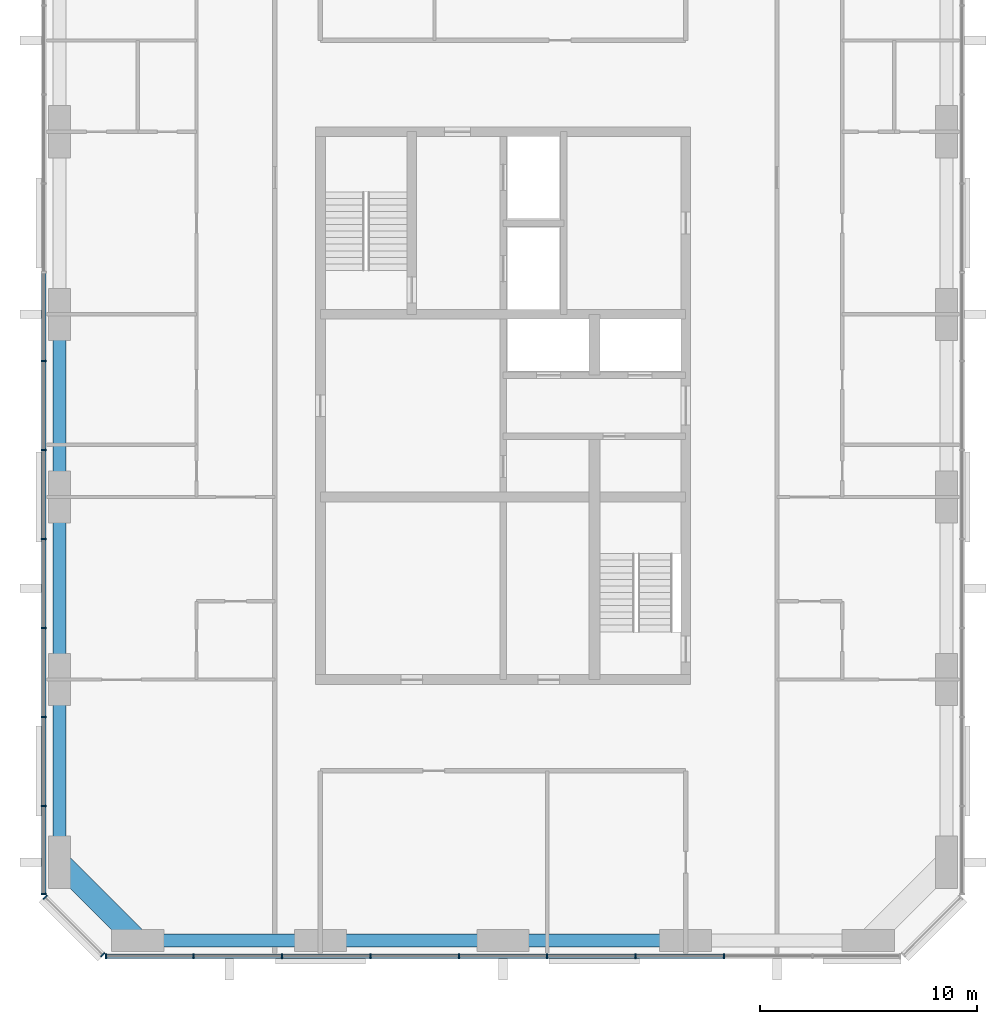
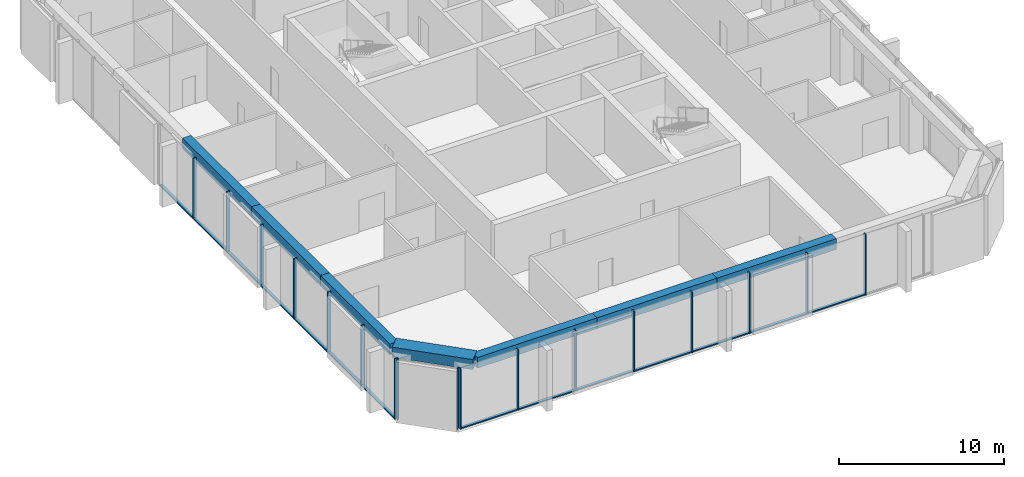
# One storey, part 2 of 10: 31 members, 7 beams, 3 elements without a shape of their own.
"""IFC4 building model written with IfcOpenShell, lengths in metres."""

import ifcopenshell
import ifcopenshell.guid

model = None  # the IFC model being written
_history = None  # IfcOwnerHistory: only IFC2X3 demands one
_inside = {}  # id of a spatial element -> (the spatial element, [elements in it])
_under = {}  # id of a project, library or spatial element -> (it, [spatial elements below it])
_declared = {}  # id of a project -> (the project, [libraries it declares])
_typed = {}  # id of a type object -> (the type object, [elements of that type])
_made_of = {}  # id of a material, layer set ... -> (it, [elements and type objects made of it])


def new_model(schema):
    """Start an empty IFC model of exactly this schema.

    Asked for "IFC4X3", IfcOpenShell would pick the latest addendum, in which some entities
    have other attributes; the version numbers below select the first issue.
    IFC2X3 requires an IfcOwnerHistory on every rooted entity: one is made here for all.
    """
    global model, _history
    if schema == "IFC4X3":
        model = ifcopenshell.file(schema_version=(4, 3, 0, 0))
    else:
        model = ifcopenshell.file(schema=schema)
    _inside.clear()
    _under.clear()
    _declared.clear()
    _typed.clear()
    _made_of.clear()
    _history = None
    if model.schema == "IFC2X3":
        org = make("IfcOrganization", Name="unknown")
        user = make(
            "IfcPersonAndOrganization",
            ThePerson=make("IfcPerson", FamilyName="unknown"),
            TheOrganization=org,
        )
        app = make(
            "IfcApplication",
            ApplicationDeveloper=org,
            Version="unknown",
            ApplicationFullName="unknown",
            ApplicationIdentifier="unknown",
        )
        _history = make(
            "IfcOwnerHistory",
            OwningUser=user,
            OwningApplication=app,
            ChangeAction="ADDED",
            CreationDate=0,
        )
    return model


def make(cls, **values):
    """One entity of the class cls with the attributes given. An attribute that is None is left unset."""
    return model.create_entity(
        cls, **{name: value for name, value in values.items() if value is not None}
    )


def rooted(cls, **values):
    """An entity with a GlobalId (a new one), such as an element, a storey or a relation."""
    return make(cls, GlobalId=ifcopenshell.guid.new(), OwnerHistory=_history, **values)


def si_unit(unit_type, name, prefix=None):
    """IfcSIUnit, for example si_unit("LENGTHUNIT", "METRE", prefix="MILLI")."""
    return make("IfcSIUnit", UnitType=unit_type, Prefix=prefix, Name=name)


def assignment(units):
    """IfcUnitAssignment: the units of a project."""
    return None if units is None else make("IfcUnitAssignment", Units=units)


def point(xyz):
    """IfcCartesianPoint."""
    return None if xyz is None else make("IfcCartesianPoint", Coordinates=xyz)


def direction(xyz):
    """IfcDirection."""
    return None if xyz is None else make("IfcDirection", DirectionRatios=xyz)


def frame(location, z_axis=None, x_axis=None):
    """IfcAxis2Placement3D, a coordinate frame: its origin and axes. An axis left out is left unset."""
    return make(
        "IfcAxis2Placement3D",
        Location=point(location),
        Axis=direction(z_axis),
        RefDirection=direction(x_axis),
    )


def frame_2d(location, x_axis=None):
    """IfcAxis2Placement2D, a coordinate frame in the plane: its origin and x axis."""
    return make(
        "IfcAxis2Placement2D", Location=point(location), RefDirection=direction(x_axis)
    )


def origin():
    """The frame at (0, 0, 0) with its axes left unset."""
    return frame((0.0, 0.0, 0.0))


def origin_2d():
    """The frame at (0, 0) in the plane with its x axis left unset."""
    return frame_2d((0.0, 0.0))


def place(relative_to, where):
    """IfcLocalPlacement: puts the frame where relative to a parent placement (None: the world)."""
    return make(
        "IfcLocalPlacement", PlacementRelTo=relative_to, RelativePlacement=where
    )


def context(
    kind, dimensions, precision=None, world=None, true_north=None, identifier=None
):
    """IfcGeometricRepresentationContext, for example the 3D "Model" context."""
    return make(
        "IfcGeometricRepresentationContext",
        ContextIdentifier=identifier,
        ContextType=kind,
        CoordinateSpaceDimension=dimensions,
        Precision=precision,
        WorldCoordinateSystem=world,
        TrueNorth=true_north,
    )


def subcontext(parent, identifier, kind, view, scale=None):
    """IfcGeometricRepresentationSubContext, for example "Body" below "Model"."""
    return make(
        "IfcGeometricRepresentationSubContext",
        ContextIdentifier=identifier,
        ContextType=kind,
        ParentContext=parent,
        TargetScale=scale,
        TargetView=view,
    )


def project(units=None, contexts=None):
    """IfcProject with its units and contexts."""
    return rooted(
        "IfcProject",
        Name="project",
        RepresentationContexts=contexts,
        UnitsInContext=assignment(units),
    )


def spatial(cls, under=None, at=None, **own):
    """A site, building, storey or space (cls), placed at a placement, below another one or the project."""
    s = rooted(cls, ObjectPlacement=at, **own)
    if under is not None:
        _under.setdefault(under.id(), (under, []))[1].append(s)
    return s


def profile(cls, at=None, kind="AREA", **sizes):
    """A parametric profile (cls). Its sizes go by their IFC names, for example OverallWidth=200.0."""
    return make(cls, ProfileType=kind, Position=at, **sizes)


def rectangle(**sizes):
    """IfcRectangleProfileDef."""
    return profile("IfcRectangleProfileDef", **sizes)


def extrude(swept, where, along, depth):
    """IfcExtrudedAreaSolid: the profile swept, set in the frame where, extruded along a direction by depth."""
    return make(
        "IfcExtrudedAreaSolid",
        SweptArea=swept,
        Position=where,
        ExtrudedDirection=direction(along),
        Depth=depth,
    )


def shape(context_of_items, identifier, shape_type, items):
    """IfcShapeRepresentation: the items that make up one representation, for example the "Body"."""
    return make(
        "IfcShapeRepresentation",
        ContextOfItems=context_of_items,
        RepresentationIdentifier=identifier,
        RepresentationType=shape_type,
        Items=items,
    )


def material(Name=None, Category=None):
    """IfcMaterial."""
    return make("IfcMaterial", Name=Name, Category=Category)


def material_profile(
    of_material, cross_section, Name=None, Category=None, Priority=None
):
    """IfcMaterialProfile: a cross section and its material."""
    return make(
        "IfcMaterialProfile",
        Name=Name,
        Material=of_material,
        Profile=cross_section,
        Priority=Priority,
        Category=Category,
    )


def profile_set(profiles, Name=None, composite=None):
    """IfcMaterialProfileSet."""
    return make(
        "IfcMaterialProfileSet",
        Name=Name,
        MaterialProfiles=profiles,
        CompositeProfile=composite,
    )


def made_of(thing, what):
    """Note that an element or type object is made of a material, layer set ...; save() writes the relation."""
    if what is not None:
        _made_of.setdefault(what.id(), (what, []))[1].append(thing)
    return thing


def type_object(cls, material=None, **own):
    """A type object (cls), such as IfcWallType, which elements share."""
    return made_of(rooted(cls, **own), material)


def element(
    cls,
    number,
    at=None,
    inside=None,
    cuts=None,
    type_object=None,
    material=None,
    context=None,
    identifier="Body",
    shape_type=None,
    held_by="IfcProductDefinitionShape",
    body=None,
    shapes=None,
    **own,
):
    """One element of the class cls, such as IfcWall. Its Tag is "e" and its number.

    at: its placement. inside: the storey or other place that contains it. cuts: it is an
    opening in that element (IfcRelVoidsElement). A single representation is given by context,
    identifier, shape_type and body (its items); several are given by shapes. held_by: the class
    of the entity that holds the representations. save() writes the other relations.
    """
    e = rooted(cls, Tag="e%d" % number, ObjectPlacement=at, **own)
    if body is not None:
        shapes = [shape(context, identifier, shape_type, body)]
    if shapes is not None:
        e.Representation = make(held_by, Representations=shapes)
    if inside is not None:
        _inside.setdefault(inside.id(), (inside, []))[1].append(e)
    if cuts is not None:
        rooted(
            "IfcRelVoidsElement", RelatingBuildingElement=cuts, RelatedOpeningElement=e
        )
    if type_object is not None:
        _typed.setdefault(type_object.id(), (type_object, []))[1].append(e)
    return made_of(e, material)


def aggregate(whole, parts):
    """IfcRelAggregates: a whole, such as a stair, and the parts it consists of."""
    return rooted("IfcRelAggregates", RelatingObject=whole, RelatedObjects=parts)


def save(model, path):
    """Write the relations noted so far, then the file.

    IfcRelAggregates (storeys below a building ...), IfcRelContainedInSpatialStructure (elements
    in a storey), IfcRelDefinesByType, IfcRelAssociatesMaterial and IfcRelDeclares: one each for
    every whole, place, type object, material and project.
    """
    for whole, parts in _under.values():
        aggregate(whole, parts)
    for where, things in _inside.values():
        rooted(
            "IfcRelContainedInSpatialStructure",
            RelatedElements=things,
            RelatingStructure=where,
        )
    for kind, things in _typed.values():
        rooted("IfcRelDefinesByType", RelatedObjects=things, RelatingType=kind)
    for what, things in _made_of.values():
        rooted("IfcRelAssociatesMaterial", RelatedObjects=things, RelatingMaterial=what)
    for by, libraries in _declared.values():
        rooted("IfcRelDeclares", RelatingContext=by, RelatedDefinitions=libraries)
    model.write(path)


model = new_model("IFC4")

# Units and contexts
model_context = context("Model", 3, precision=1e-05, world=origin(), true_north=direction((0.0, 1.0)))
body_context = subcontext(model_context, "Body", "Model", "MODEL_VIEW")
ifc_project = project(units=[si_unit("LENGTHUNIT", "METRE"), si_unit("AREAUNIT", "SQUARE_METRE"), si_unit("VOLUMEUNIT", "CUBIC_METRE"), si_unit("PLANEANGLEUNIT", "RADIAN"), si_unit("MASSUNIT", "GRAM", prefix="KILO")], contexts=[model_context])

# Site, building, storey
site_placement = place(None, origin())
site = spatial("IfcSite", under=ifc_project, at=site_placement, CompositionType="ELEMENT")
building_placement = place(site_placement, origin())
building = spatial("IfcBuilding", under=site, at=building_placement, Name="Dunama Terrace Hotel", CompositionType="ELEMENT")
storey_placement = place(building_placement, frame((0.0, 0.0, 289.10009765625)))
storey = spatial("IfcBuildingStorey", under=building, at=storey_placement, Name="L74", CompositionType="ELEMENT", Elevation=289.10009765625)

# Curtain wall, members
ifc_material_1 = material(Name="Aluminium curtain wall system", Category="aluminium")
curtain_wall_type = type_object("IfcCurtainWallType", Name="Unitised fritted glass wall CW-D", PredefinedType="NOTDEFINED", material=ifc_material_1)
curtain_wall_1_placement = place(storey_placement, origin())
curtain_wall_1 = element("IfcCurtainWall", 1, at=curtain_wall_1_placement, inside=storey, type_object=curtain_wall_type, Name="Unitised fritted glass wall CW-D L74", PredefinedType="NOTDEFINED")
ifc_material_2 = material(Name="Aluminium mullion", Category="aluminium")
ifc_material_profile_1 = material_profile(ifc_material_2, rectangle(XDim=0.070068359375, YDim=0.239990234375, at=origin_2d()), Name="CWD MULLION 70X240")
ifc_profile_set_1 = profile_set([ifc_material_profile_1], Name="Aluminium mullion")
member_type_1 = type_object("IfcMemberType", Name="CWD mullion 70x240", PredefinedType="MULLION", material=ifc_profile_set_1)
member_1_placement = place(storey_placement, frame((15.3349609375, 4.080078125, 0.0), z_axis=(0.0, 0.0, 1.0), x_axis=(1.0, 0.0, 0.0)))
member_1 = element("IfcMember", 2, at=member_1_placement, type_object=member_type_1, Name="CWD mullion", PredefinedType="MULLION", context=body_context, shape_type="SweptSolid", body=[
    extrude(rectangle(XDim=0.070068359375, YDim=0.239990234375, at=origin_2d()), origin(), (0.0, 0.0, 1.0), 4.5),
])
member_2_placement = place(storey_placement, frame((19.366943359375, 4.080078125, 0.0), z_axis=(0.0, 0.0, 1.0), x_axis=(1.0, 0.0, 0.0)))
member_2 = element("IfcMember", 3, at=member_2_placement, type_object=member_type_1, Name="CWD mullion", PredefinedType="MULLION", context=body_context, shape_type="SweptSolid", body=[
    extrude(rectangle(XDim=0.070068359375, YDim=0.239990234375, at=origin_2d()), origin(), (0.0, 0.0, 1.0), 4.5),
])
member_3_placement = place(storey_placement, frame((23.43310546875, 4.080078125, 0.0), z_axis=(0.0, 0.0, 1.0), x_axis=(1.0, 0.0, 0.0)))
member_3 = element("IfcMember", 4, at=member_3_placement, type_object=member_type_1, Name="CWD mullion", PredefinedType="MULLION", context=body_context, shape_type="SweptSolid", body=[
    extrude(rectangle(XDim=0.070068359375, YDim=0.239990234375, at=origin_2d()), origin(), (0.0, 0.0, 1.0), 4.5),
])
member_4_placement = place(storey_placement, frame((27.5, 4.080078125, 0.0), z_axis=(0.0, 0.0, 1.0), x_axis=(1.0, 0.0, 0.0)))
member_4 = element("IfcMember", 5, at=member_4_placement, type_object=member_type_1, Name="CWD mullion", PredefinedType="MULLION", context=body_context, shape_type="SweptSolid", body=[
    extrude(rectangle(XDim=0.070068359375, YDim=0.239990234375, at=origin_2d()), origin(), (0.0, 0.0, 1.0), 4.5),
])
member_5_placement = place(storey_placement, frame((31.56689453125, 4.080078125, 0.0), z_axis=(0.0, 0.0, 1.0), x_axis=(1.0, 0.0, 0.0)))
member_5 = element("IfcMember", 6, at=member_5_placement, type_object=member_type_1, Name="CWD mullion", PredefinedType="MULLION", context=body_context, shape_type="SweptSolid", body=[
    extrude(rectangle(XDim=0.070068359375, YDim=0.239990234375, at=origin_2d()), origin(), (0.0, 0.0, 1.0), 4.5),
])
member_6_placement = place(storey_placement, frame((35.633056640625, 4.080078125, 0.0), z_axis=(0.0, 0.0, 1.0), x_axis=(1.0, 0.0, 0.0)))
member_6 = element("IfcMember", 7, at=member_6_placement, type_object=member_type_1, Name="CWD mullion", PredefinedType="MULLION", context=body_context, shape_type="SweptSolid", body=[
    extrude(rectangle(XDim=0.070068359375, YDim=0.239990234375, at=origin_2d()), origin(), (0.0, 0.0, 1.0), 4.5),
])
member_7_placement = place(storey_placement, frame((39.699951171875, 4.080078125, 0.0), z_axis=(0.0, 0.0, 1.0), x_axis=(1.0, 0.0, 0.0)))
member_7 = element("IfcMember", 8, at=member_7_placement, type_object=member_type_1, Name="CWD mullion", PredefinedType="MULLION", context=body_context, shape_type="SweptSolid", body=[
    extrude(rectangle(XDim=0.070068359375, YDim=0.239990234375, at=origin_2d()), origin(), (0.0, 0.0, 1.0), 4.5),
])
member_8_placement = place(storey_placement, frame((43.76708984375, 4.080078125, 0.0), z_axis=(0.0, 0.0, 1.0), x_axis=(1.0, 0.0, 0.0)))
member_8 = element("IfcMember", 9, at=member_8_placement, type_object=member_type_1, Name="CWD mullion", PredefinedType="MULLION", context=body_context, shape_type="SweptSolid", body=[
    extrude(rectangle(XDim=0.070068359375, YDim=0.239990234375, at=origin_2d()), origin(), (0.0, 0.0, 1.0), 4.5),
])

curtain_wall_2_placement = place(storey_placement, origin())
curtain_wall_2 = element("IfcCurtainWall", 10, at=curtain_wall_2_placement, inside=storey, type_object=curtain_wall_type, Name="Unitised fritted glass wall CW-D L74", PredefinedType="NOTDEFINED")
member_9_placement = place(storey_placement, frame((12.47998046875, 31.445068359375, 0.0), z_axis=(0.0, 0.0, 1.0), x_axis=(0.0, -1.0, 0.0)))
member_9 = element("IfcMember", 11, at=member_9_placement, type_object=member_type_1, Name="CWD mullion", PredefinedType="MULLION", context=body_context, shape_type="SweptSolid", body=[
    extrude(rectangle(XDim=0.070068359375, YDim=0.239990234375, at=origin_2d()), origin(), (0.0, 0.0, 1.0), 4.5),
])
member_10_placement = place(storey_placement, frame((12.47998046875, 27.35498046875, 0.0), z_axis=(0.0, 0.0, 1.0), x_axis=(0.0, -1.0, 0.0)))
member_10 = element("IfcMember", 12, at=member_10_placement, type_object=member_type_1, Name="CWD mullion", PredefinedType="MULLION", context=body_context, shape_type="SweptSolid", body=[
    extrude(rectangle(XDim=0.070068359375, YDim=0.239990234375, at=origin_2d()), origin(), (0.0, 0.0, 1.0), 4.5),
])
member_11_placement = place(storey_placement, frame((12.47998046875, 23.263916015625, 0.0), z_axis=(0.0, 0.0, 1.0), x_axis=(0.0, -1.0, 0.0)))
member_11 = element("IfcMember", 13, at=member_11_placement, type_object=member_type_1, Name="CWD mullion", PredefinedType="MULLION", context=body_context, shape_type="SweptSolid", body=[
    extrude(rectangle(XDim=0.070068359375, YDim=0.239990234375, at=origin_2d()), origin(), (0.0, 0.0, 1.0), 4.5),
])
member_12_placement = place(storey_placement, frame((12.47998046875, 19.173095703125, 0.0), z_axis=(0.0, 0.0, 1.0), x_axis=(0.0, -1.0, 0.0)))
member_12 = element("IfcMember", 14, at=member_12_placement, type_object=member_type_1, Name="CWD mullion", PredefinedType="MULLION", context=body_context, shape_type="SweptSolid", body=[
    extrude(rectangle(XDim=0.070068359375, YDim=0.239990234375, at=origin_2d()), origin(), (0.0, 0.0, 1.0), 4.5),
])
member_13_placement = place(storey_placement, frame((12.47998046875, 15.08203125, 0.0), z_axis=(0.0, 0.0, 1.0), x_axis=(0.0, -1.0, 0.0)))
member_13 = element("IfcMember", 15, at=member_13_placement, type_object=member_type_1, Name="CWD mullion", PredefinedType="MULLION", context=body_context, shape_type="SweptSolid", body=[
    extrude(rectangle(XDim=0.070068359375, YDim=0.239990234375, at=origin_2d()), origin(), (0.0, 0.0, 1.0), 4.5),
])
member_14_placement = place(storey_placement, frame((12.47998046875, 10.990966796875, 0.0), z_axis=(0.0, 0.0, 1.0), x_axis=(0.0, -1.0, 0.0)))
member_14 = element("IfcMember", 16, at=member_14_placement, type_object=member_type_1, Name="CWD mullion", PredefinedType="MULLION", context=body_context, shape_type="SweptSolid", body=[
    extrude(rectangle(XDim=0.070068359375, YDim=0.239990234375, at=origin_2d()), origin(), (0.0, 0.0, 1.0), 4.5),
])
member_15_placement = place(storey_placement, frame((12.47998046875, 6.93505859375, 0.0), z_axis=(0.0, 0.0, 1.0), x_axis=(0.0, -1.0, 0.0)))
member_15 = element("IfcMember", 17, at=member_15_placement, type_object=member_type_1, Name="CWD mullion", PredefinedType="MULLION", context=body_context, shape_type="SweptSolid", body=[
    extrude(rectangle(XDim=0.070068359375, YDim=0.239990234375, at=origin_2d()), origin(), (0.0, 0.0, 1.0), 4.5),
])

curtain_wall_3_placement = place(storey_placement, origin())
curtain_wall_3 = element("IfcCurtainWall", 18, at=curtain_wall_3_placement, inside=storey, type_object=curtain_wall_type, Name="Unitised fritted glass wall CW-D L74", PredefinedType="NOTDEFINED")
member_16_placement = place(storey_placement, frame((12.5400390625, 6.7900390625, 0.0), z_axis=(0.0, 0.0, 1.0), x_axis=(0.707106781187, -0.707106781187, 0.0)))
member_16 = element("IfcMember", 19, at=member_16_placement, type_object=member_type_1, Name="CWD mullion", PredefinedType="MULLION", context=body_context, shape_type="SweptSolid", body=[
    extrude(rectangle(XDim=0.070068359375, YDim=0.239990234375, at=origin_2d()), origin(), (0.0, 0.0, 1.0), 4.5),
])
member_17_placement = place(storey_placement, frame((15.18994140625, 4.139892578125, 0.0), z_axis=(0.0, 0.0, 1.0), x_axis=(0.707106781187, -0.707106781187, 0.0)))
member_17 = element("IfcMember", 20, at=member_17_placement, type_object=member_type_1, Name="CWD mullion", PredefinedType="MULLION", context=body_context, shape_type="SweptSolid", body=[
    extrude(rectangle(XDim=0.070068359375, YDim=0.239990234375, at=origin_2d()), origin(), (0.0, 0.0, 1.0), 4.5),
])
aggregate(curtain_wall_3, [member_16, member_17])

# Member
ifc_material_3 = material(Name="Aluminium transom", Category="aluminium")
ifc_material_profile_2 = material_profile(ifc_material_3, rectangle(XDim=0.199951171875, YDim=0.0849609375, at=origin_2d()), Name="CWD TRANSOM 200X85")
ifc_profile_set_2 = profile_set([ifc_material_profile_2], Name="Aluminium transom")
member_type_2 = type_object("IfcMemberType", Name="CWD transom 200x85", PredefinedType="USERDEFINED", material=ifc_profile_set_2)
member_18_placement = place(storey_placement, frame((15.3701171875, 4.080078125, 0.04248046875), z_axis=(1.0, 0.0, 0.0), x_axis=(0.0, 1.0, 0.0)))
member_18 = element("IfcMember", 21, at=member_18_placement, type_object=member_type_2, Name="CWD transom", ObjectType="TRANSOM", PredefinedType="USERDEFINED", context=body_context, shape_type="SweptSolid", body=[
    extrude(rectangle(XDim=0.199951171875, YDim=0.0849609375, at=origin_2d()), origin(), (0.0, 0.0, 1.0), 3.9619140625),
])

member_19_placement = place(storey_placement, frame((19.402099609375, 4.080078125, 0.04248046875), z_axis=(1.0, 0.0, 0.0), x_axis=(0.0, 1.0, 0.0)))
member_19 = element("IfcMember", 22, at=member_19_placement, type_object=member_type_2, Name="CWD transom", ObjectType="TRANSOM", PredefinedType="USERDEFINED", context=body_context, shape_type="SweptSolid", body=[
    extrude(rectangle(XDim=0.199951171875, YDim=0.0849609375, at=origin_2d()), origin(), (0.0, 0.0, 1.0), 3.995849609375),
])

member_20_placement = place(storey_placement, frame((23.468017578125, 4.080078125, 0.04248046875), z_axis=(1.0, 0.0, 0.0), x_axis=(0.0, 1.0, 0.0)))
member_20 = element("IfcMember", 23, at=member_20_placement, type_object=member_type_2, Name="CWD transom", ObjectType="TRANSOM", PredefinedType="USERDEFINED", context=body_context, shape_type="SweptSolid", body=[
    extrude(rectangle(XDim=0.199951171875, YDim=0.0849609375, at=origin_2d()), origin(), (0.0, 0.0, 1.0), 3.9970703125),
])

member_21_placement = place(storey_placement, frame((27.534912109375, 4.080078125, 0.04248046875), z_axis=(1.0, 0.0, 0.0), x_axis=(0.0, 1.0, 0.0)))
member_21 = element("IfcMember", 24, at=member_21_placement, type_object=member_type_2, Name="CWD transom", ObjectType="TRANSOM", PredefinedType="USERDEFINED", context=body_context, shape_type="SweptSolid", body=[
    extrude(rectangle(XDim=0.199951171875, YDim=0.0849609375, at=origin_2d()), origin(), (0.0, 0.0, 1.0), 3.9970703125),
])

member_22_placement = place(storey_placement, frame((31.60205078125, 4.080078125, 0.04248046875), z_axis=(1.0, 0.0, 0.0), x_axis=(0.0, 1.0, 0.0)))
member_22 = element("IfcMember", 25, at=member_22_placement, type_object=member_type_2, Name="CWD transom", ObjectType="TRANSOM", PredefinedType="USERDEFINED", context=body_context, shape_type="SweptSolid", body=[
    extrude(rectangle(XDim=0.199951171875, YDim=0.0849609375, at=origin_2d()), origin(), (0.0, 0.0, 1.0), 3.995849609375),
])

member_23_placement = place(storey_placement, frame((35.66796875, 4.080078125, 0.04248046875), z_axis=(1.0, 0.0, 0.0), x_axis=(0.0, 1.0, 0.0)))
member_23 = element("IfcMember", 26, at=member_23_placement, type_object=member_type_2, Name="CWD transom", ObjectType="TRANSOM", PredefinedType="USERDEFINED", context=body_context, shape_type="SweptSolid", body=[
    extrude(rectangle(XDim=0.199951171875, YDim=0.0849609375, at=origin_2d()), origin(), (0.0, 0.0, 1.0), 3.9970703125),
])

member_24_placement = place(storey_placement, frame((39.735107421875, 4.080078125, 0.04248046875), z_axis=(1.0, 0.0, 0.0), x_axis=(0.0, 1.0, 0.0)))
member_24 = element("IfcMember", 27, at=member_24_placement, type_object=member_type_2, Name="CWD transom", ObjectType="TRANSOM", PredefinedType="USERDEFINED", context=body_context, shape_type="SweptSolid", body=[
    extrude(rectangle(XDim=0.199951171875, YDim=0.0849609375, at=origin_2d()), origin(), (0.0, 0.0, 1.0), 3.996826171875),
])

aggregate(curtain_wall_1, [member_1, member_2, member_3, member_4, member_5, member_6, member_7, member_8, member_18, member_19, member_20, member_21, member_22, member_23, member_24])

member_25_placement = place(storey_placement, frame((12.47998046875, 35.5009765625, 0.04248046875), z_axis=(0.0, -1.0, 0.0), x_axis=(1.0, 0.0, 0.0)))
member_25 = element("IfcMember", 28, at=member_25_placement, type_object=member_type_2, Name="CWD transom", ObjectType="TRANSOM", PredefinedType="USERDEFINED", context=body_context, shape_type="SweptSolid", body=[
    extrude(rectangle(XDim=0.199951171875, YDim=0.0849609375, at=origin_2d()), origin(), (0.0, 0.0, 1.0), 4.02099609375),
])

member_26_placement = place(storey_placement, frame((12.47998046875, 31.409912109375, 0.04248046875), z_axis=(0.0, -1.0, 0.0), x_axis=(1.0, 0.0, 0.0)))
member_26 = element("IfcMember", 29, at=member_26_placement, type_object=member_type_2, Name="CWD transom", ObjectType="TRANSOM", PredefinedType="USERDEFINED", context=body_context, shape_type="SweptSolid", body=[
    extrude(rectangle(XDim=0.199951171875, YDim=0.0849609375, at=origin_2d()), origin(), (0.0, 0.0, 1.0), 4.02001953125),
])

member_27_placement = place(storey_placement, frame((12.47998046875, 27.320068359375, 0.04248046875), z_axis=(0.0, -1.0, 0.0), x_axis=(1.0, 0.0, 0.0)))
member_27 = element("IfcMember", 30, at=member_27_placement, type_object=member_type_2, Name="CWD transom", ObjectType="TRANSOM", PredefinedType="USERDEFINED", context=body_context, shape_type="SweptSolid", body=[
    extrude(rectangle(XDim=0.199951171875, YDim=0.0849609375, at=origin_2d()), origin(), (0.0, 0.0, 1.0), 4.02099609375),
])

member_28_placement = place(storey_placement, frame((12.47998046875, 23.22900390625, 0.04248046875), z_axis=(0.0, -1.0, 0.0), x_axis=(1.0, 0.0, 0.0)))
member_28 = element("IfcMember", 31, at=member_28_placement, type_object=member_type_2, Name="CWD transom", ObjectType="TRANSOM", PredefinedType="USERDEFINED", context=body_context, shape_type="SweptSolid", body=[
    extrude(rectangle(XDim=0.199951171875, YDim=0.0849609375, at=origin_2d()), origin(), (0.0, 0.0, 1.0), 4.02099609375),
])

member_29_placement = place(storey_placement, frame((12.47998046875, 19.137939453125, 0.04248046875), z_axis=(0.0, -1.0, 0.0), x_axis=(1.0, 0.0, 0.0)))
member_29 = element("IfcMember", 32, at=member_29_placement, type_object=member_type_2, Name="CWD transom", ObjectType="TRANSOM", PredefinedType="USERDEFINED", context=body_context, shape_type="SweptSolid", body=[
    extrude(rectangle(XDim=0.199951171875, YDim=0.0849609375, at=origin_2d()), origin(), (0.0, 0.0, 1.0), 4.02099609375),
])

member_30_placement = place(storey_placement, frame((12.47998046875, 15.047119140625, 0.04248046875), z_axis=(0.0, -1.0, 0.0), x_axis=(1.0, 0.0, 0.0)))
member_30 = element("IfcMember", 33, at=member_30_placement, type_object=member_type_2, Name="CWD transom", ObjectType="TRANSOM", PredefinedType="USERDEFINED", context=body_context, shape_type="SweptSolid", body=[
    extrude(rectangle(XDim=0.199951171875, YDim=0.0849609375, at=origin_2d()), origin(), (0.0, 0.0, 1.0), 4.021240234375),
])

member_31_placement = place(storey_placement, frame((12.47998046875, 10.9560546875, 0.04248046875), z_axis=(0.0, -1.0, 0.0), x_axis=(1.0, 0.0, 0.0)))
member_31 = element("IfcMember", 34, at=member_31_placement, type_object=member_type_2, Name="CWD transom", ObjectType="TRANSOM", PredefinedType="USERDEFINED", context=body_context, shape_type="SweptSolid", body=[
    extrude(rectangle(XDim=0.199951171875, YDim=0.0849609375, at=origin_2d()), origin(), (0.0, 0.0, 1.0), 3.986083984375),
])

aggregate(curtain_wall_2, [member_9, member_10, member_11, member_12, member_13, member_14, member_15, member_25, member_26, member_27, member_28, member_29, member_30, member_31])

# Beams
ifc_material_4 = material(Name="Concrete C50/60", Category="concrete")
ifc_material_profile_3 = material_profile(ifc_material_4, rectangle(XDim=1.0, YDim=0.75, at=origin_2d()), Name="RC 1000x750")
ifc_profile_set_3 = profile_set([ifc_material_profile_3], Name="Concrete C50/60")
beam_type_1 = type_object("IfcBeamType", Name="Edge beam RC 1000x750", PredefinedType="SPANDREL", material=ifc_profile_set_3)
beam_1_placement = place(storey_placement, frame((16.800048828125, 4.800048828125, 4.125), z_axis=(-0.707130757816, 0.707082803744, 0.0), x_axis=(-0.707082803744, -0.707130757816, 0.0)))
element("IfcBeam", 35, at=beam_1_placement, inside=storey, type_object=beam_type_1, Name="Corner edge beam under L75", PredefinedType="SPANDREL", context=body_context, shape_type="SweptSolid", body=[
    extrude(rectangle(XDim=1.0, YDim=0.75, at=origin_2d()), origin(), (0.0, 0.0, 1.0), 5.091064453125),
])
ifc_material_5 = material(Name="Concrete C40/50", Category="concrete")
ifc_material_profile_4 = material_profile(ifc_material_5, rectangle(XDim=0.60009765625, YDim=0.800048828125, at=origin_2d()), Name="RC 600x800")
ifc_profile_set_4 = profile_set([ifc_material_profile_4], Name="Concrete C40/50")
beam_type_2 = type_object("IfcBeamType", Name="Edge beam RC 600x800", PredefinedType="SPANDREL", material=ifc_profile_set_4)
beam_2_placement = place(storey_placement, frame((13.199951171875, 8.39990234375, 4.099853515625), z_axis=(0.0, 1.0, 0.0), x_axis=(-1.0, 0.0, 0.0)))
element("IfcBeam", 36, at=beam_2_placement, inside=storey, type_object=beam_type_2, Name="Edge beam under L75", PredefinedType="SPANDREL", context=body_context, shape_type="SweptSolid", body=[
    extrude(rectangle(XDim=0.60009765625, YDim=0.800048828125, at=origin_2d()), origin(), (0.0, 0.0, 1.0), 8.400146484375),
])
beam_3_placement = place(storey_placement, frame((13.199951171875, 16.800048828125, 4.099853515625), z_axis=(0.0, 1.0, 0.0), x_axis=(-1.0, 0.0, 0.0)))
element("IfcBeam", 37, at=beam_3_placement, inside=storey, type_object=beam_type_2, Name="Edge beam under L75", PredefinedType="SPANDREL", context=body_context, shape_type="SweptSolid", body=[
    extrude(rectangle(XDim=0.60009765625, YDim=0.800048828125, at=origin_2d()), origin(), (0.0, 0.0, 1.0), 8.39990234375),
])
beam_4_placement = place(storey_placement, frame((13.199951171875, 25.199951171875, 4.099853515625), z_axis=(0.0, 1.0, 0.0), x_axis=(-1.0, 0.0, 0.0)))
element("IfcBeam", 38, at=beam_4_placement, inside=storey, type_object=beam_type_2, Name="Edge beam under L75", PredefinedType="SPANDREL", context=body_context, shape_type="SweptSolid", body=[
    extrude(rectangle(XDim=0.60009765625, YDim=0.800048828125, at=origin_2d()), origin(), (0.0, 0.0, 1.0), 8.400146484375),
])
beam_5_placement = place(storey_placement, frame((16.800048828125, 4.800048828125, 4.099853515625), z_axis=(1.0, 0.0, 0.0), x_axis=(0.0, 1.0, 0.0)))
element("IfcBeam", 39, at=beam_5_placement, inside=storey, type_object=beam_type_2, Name="Edge beam under L75", PredefinedType="SPANDREL", context=body_context, shape_type="SweptSolid", body=[
    extrude(rectangle(XDim=0.60009765625, YDim=0.800048828125, at=origin_2d()), origin(), (0.0, 0.0, 1.0), 8.39990234375),
])
beam_6_placement = place(storey_placement, frame((25.199951171875, 4.800048828125, 4.099853515625), z_axis=(1.0, 0.0, 0.0), x_axis=(0.0, 1.0, 0.0)))
element("IfcBeam", 40, at=beam_6_placement, inside=storey, type_object=beam_type_2, Name="Edge beam under L75", PredefinedType="SPANDREL", context=body_context, shape_type="SweptSolid", body=[
    extrude(rectangle(XDim=0.60009765625, YDim=0.800048828125, at=origin_2d()), origin(), (0.0, 0.0, 1.0), 8.400146484375),
])
beam_7_placement = place(storey_placement, frame((33.60009765625, 4.800048828125, 4.099853515625), z_axis=(1.0, 0.0, 0.0), x_axis=(0.0, 1.0, 0.0)))
element("IfcBeam", 41, at=beam_7_placement, inside=storey, type_object=beam_type_2, Name="Edge beam under L75", PredefinedType="SPANDREL", context=body_context, shape_type="SweptSolid", body=[
    extrude(rectangle(XDim=0.60009765625, YDim=0.800048828125, at=origin_2d()), origin(), (0.0, 0.0, 1.0), 8.39990234375),
])

save(model, "model.ifc")
